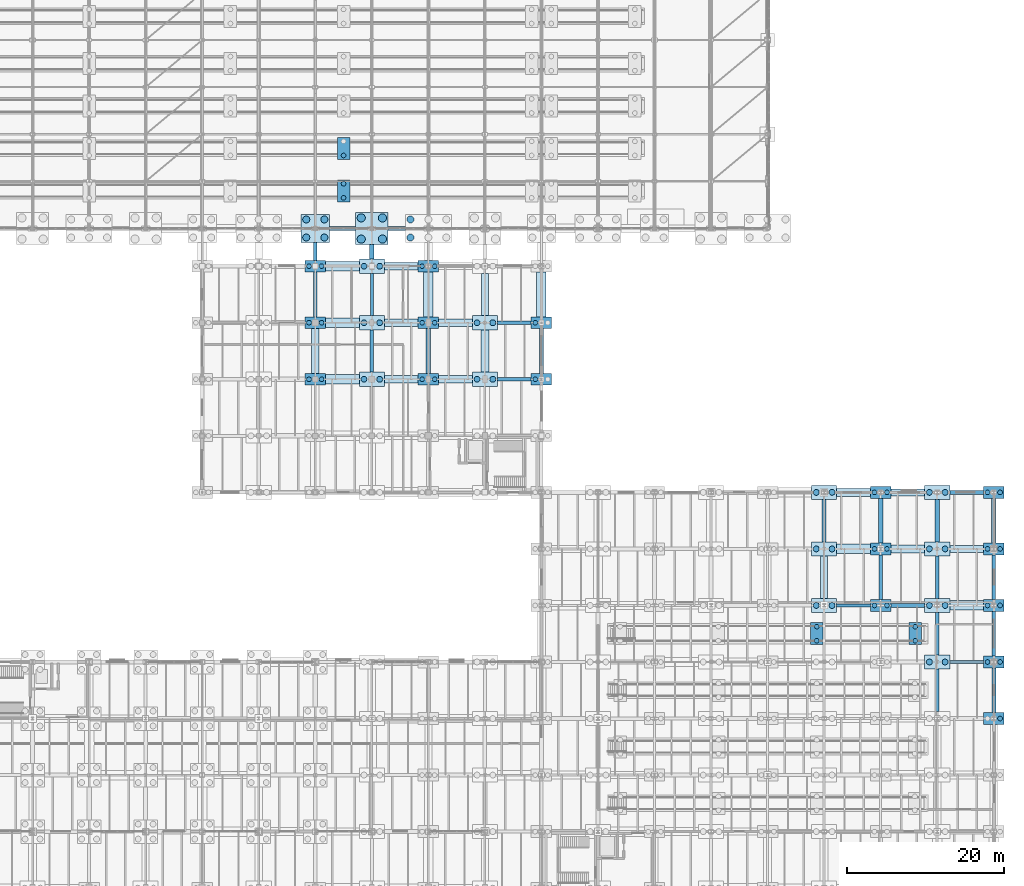
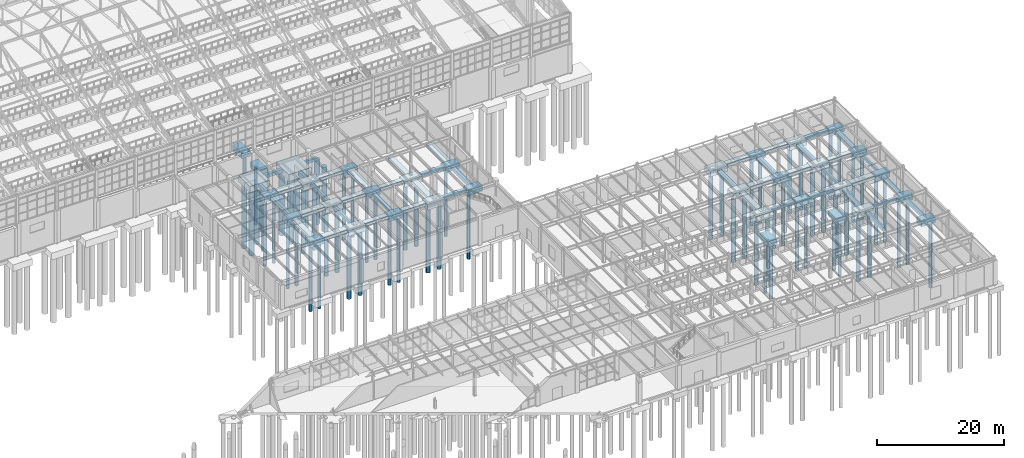
# One storey, part 12 of 293: 80 footings, 70 piles.
"""IFC4 building model written with IfcOpenShell, lengths in metres."""

import ifcopenshell
import ifcopenshell.guid

model = None  # the IFC model being written
_history = None  # IfcOwnerHistory: only IFC2X3 demands one
_inside = {}  # id of a spatial element -> (the spatial element, [elements in it])
_under = {}  # id of a project, library or spatial element -> (it, [spatial elements below it])
_declared = {}  # id of a project -> (the project, [libraries it declares])
_typed = {}  # id of a type object -> (the type object, [elements of that type])
_made_of = {}  # id of a material, layer set ... -> (it, [elements and type objects made of it])


def new_model(schema):
    """Start an empty IFC model of exactly this schema.

    Asked for "IFC4X3", IfcOpenShell would pick the latest addendum, in which some entities
    have other attributes; the version numbers below select the first issue.
    IFC2X3 requires an IfcOwnerHistory on every rooted entity: one is made here for all.
    """
    global model, _history
    if schema == "IFC4X3":
        model = ifcopenshell.file(schema_version=(4, 3, 0, 0))
    else:
        model = ifcopenshell.file(schema=schema)
    _inside.clear()
    _under.clear()
    _declared.clear()
    _typed.clear()
    _made_of.clear()
    _history = None
    if model.schema == "IFC2X3":
        org = make("IfcOrganization", Name="unknown")
        user = make(
            "IfcPersonAndOrganization",
            ThePerson=make("IfcPerson", FamilyName="unknown"),
            TheOrganization=org,
        )
        app = make(
            "IfcApplication",
            ApplicationDeveloper=org,
            Version="unknown",
            ApplicationFullName="unknown",
            ApplicationIdentifier="unknown",
        )
        _history = make(
            "IfcOwnerHistory",
            OwningUser=user,
            OwningApplication=app,
            ChangeAction="ADDED",
            CreationDate=0,
        )
    return model


def make(cls, **values):
    """One entity of the class cls with the attributes given. An attribute that is None is left unset."""
    return model.create_entity(
        cls, **{name: value for name, value in values.items() if value is not None}
    )


def rooted(cls, **values):
    """An entity with a GlobalId (a new one), such as an element, a storey or a relation."""
    return make(cls, GlobalId=ifcopenshell.guid.new(), OwnerHistory=_history, **values)


def si_unit(unit_type, name, prefix=None):
    """IfcSIUnit, for example si_unit("LENGTHUNIT", "METRE", prefix="MILLI")."""
    return make("IfcSIUnit", UnitType=unit_type, Prefix=prefix, Name=name)


def assignment(units):
    """IfcUnitAssignment: the units of a project."""
    return None if units is None else make("IfcUnitAssignment", Units=units)


def point(xyz):
    """IfcCartesianPoint."""
    return None if xyz is None else make("IfcCartesianPoint", Coordinates=xyz)


def direction(xyz):
    """IfcDirection."""
    return None if xyz is None else make("IfcDirection", DirectionRatios=xyz)


def frame(location, z_axis=None, x_axis=None):
    """IfcAxis2Placement3D, a coordinate frame: its origin and axes. An axis left out is left unset."""
    return make(
        "IfcAxis2Placement3D",
        Location=point(location),
        Axis=direction(z_axis),
        RefDirection=direction(x_axis),
    )


def frame_2d(location, x_axis=None):
    """IfcAxis2Placement2D, a coordinate frame in the plane: its origin and x axis."""
    return make(
        "IfcAxis2Placement2D", Location=point(location), RefDirection=direction(x_axis)
    )


def origin():
    """The frame at (0, 0, 0) with its axes left unset."""
    return frame((0.0, 0.0, 0.0))


def origin_2d():
    """The frame at (0, 0) in the plane with its x axis left unset."""
    return frame_2d((0.0, 0.0))


def place(relative_to, where):
    """IfcLocalPlacement: puts the frame where relative to a parent placement (None: the world)."""
    return make(
        "IfcLocalPlacement", PlacementRelTo=relative_to, RelativePlacement=where
    )


def context(
    kind, dimensions, precision=None, world=None, true_north=None, identifier=None
):
    """IfcGeometricRepresentationContext, for example the 3D "Model" context."""
    return make(
        "IfcGeometricRepresentationContext",
        ContextIdentifier=identifier,
        ContextType=kind,
        CoordinateSpaceDimension=dimensions,
        Precision=precision,
        WorldCoordinateSystem=world,
        TrueNorth=true_north,
    )


def subcontext(parent, identifier, kind, view, scale=None):
    """IfcGeometricRepresentationSubContext, for example "Body" below "Model"."""
    return make(
        "IfcGeometricRepresentationSubContext",
        ContextIdentifier=identifier,
        ContextType=kind,
        ParentContext=parent,
        TargetScale=scale,
        TargetView=view,
    )


def project(units=None, contexts=None):
    """IfcProject with its units and contexts."""
    return rooted(
        "IfcProject",
        Name="project",
        RepresentationContexts=contexts,
        UnitsInContext=assignment(units),
    )


def spatial(cls, under=None, at=None, **own):
    """A site, building, storey or space (cls), placed at a placement, below another one or the project."""
    s = rooted(cls, ObjectPlacement=at, **own)
    if under is not None:
        _under.setdefault(under.id(), (under, []))[1].append(s)
    return s


def profile(cls, at=None, kind="AREA", **sizes):
    """A parametric profile (cls). Its sizes go by their IFC names, for example OverallWidth=200.0."""
    return make(cls, ProfileType=kind, Position=at, **sizes)


def rectangle(**sizes):
    """IfcRectangleProfileDef."""
    return profile("IfcRectangleProfileDef", **sizes)


def circle(**sizes):
    """IfcCircleProfileDef."""
    return profile("IfcCircleProfileDef", **sizes)


def extrude(swept, where, along, depth):
    """IfcExtrudedAreaSolid: the profile swept, set in the frame where, extruded along a direction by depth."""
    return make(
        "IfcExtrudedAreaSolid",
        SweptArea=swept,
        Position=where,
        ExtrudedDirection=direction(along),
        Depth=depth,
    )


def shape(context_of_items, identifier, shape_type, items):
    """IfcShapeRepresentation: the items that make up one representation, for example the "Body"."""
    return make(
        "IfcShapeRepresentation",
        ContextOfItems=context_of_items,
        RepresentationIdentifier=identifier,
        RepresentationType=shape_type,
        Items=items,
    )


def material(Name=None, Category=None):
    """IfcMaterial."""
    return make("IfcMaterial", Name=Name, Category=Category)


def material_profile(
    of_material, cross_section, Name=None, Category=None, Priority=None
):
    """IfcMaterialProfile: a cross section and its material."""
    return make(
        "IfcMaterialProfile",
        Name=Name,
        Material=of_material,
        Profile=cross_section,
        Priority=Priority,
        Category=Category,
    )


def profile_set(profiles, Name=None, composite=None):
    """IfcMaterialProfileSet."""
    return make(
        "IfcMaterialProfileSet",
        Name=Name,
        MaterialProfiles=profiles,
        CompositeProfile=composite,
    )


def made_of(thing, what):
    """Note that an element or type object is made of a material, layer set ...; save() writes the relation."""
    if what is not None:
        _made_of.setdefault(what.id(), (what, []))[1].append(thing)
    return thing


def type_object(cls, material=None, **own):
    """A type object (cls), such as IfcWallType, which elements share."""
    return made_of(rooted(cls, **own), material)


def element(
    cls,
    number,
    at=None,
    inside=None,
    cuts=None,
    type_object=None,
    material=None,
    context=None,
    identifier="Body",
    shape_type=None,
    held_by="IfcProductDefinitionShape",
    body=None,
    shapes=None,
    **own,
):
    """One element of the class cls, such as IfcWall. Its Tag is "e" and its number.

    at: its placement. inside: the storey or other place that contains it. cuts: it is an
    opening in that element (IfcRelVoidsElement). A single representation is given by context,
    identifier, shape_type and body (its items); several are given by shapes. held_by: the class
    of the entity that holds the representations. save() writes the other relations.
    """
    e = rooted(cls, Tag="e%d" % number, ObjectPlacement=at, **own)
    if body is not None:
        shapes = [shape(context, identifier, shape_type, body)]
    if shapes is not None:
        e.Representation = make(held_by, Representations=shapes)
    if inside is not None:
        _inside.setdefault(inside.id(), (inside, []))[1].append(e)
    if cuts is not None:
        rooted(
            "IfcRelVoidsElement", RelatingBuildingElement=cuts, RelatedOpeningElement=e
        )
    if type_object is not None:
        _typed.setdefault(type_object.id(), (type_object, []))[1].append(e)
    return made_of(e, material)


def aggregate(whole, parts):
    """IfcRelAggregates: a whole, such as a stair, and the parts it consists of."""
    return rooted("IfcRelAggregates", RelatingObject=whole, RelatedObjects=parts)


def save(model, path):
    """Write the relations noted so far, then the file.

    IfcRelAggregates (storeys below a building ...), IfcRelContainedInSpatialStructure (elements
    in a storey), IfcRelDefinesByType, IfcRelAssociatesMaterial and IfcRelDeclares: one each for
    every whole, place, type object, material and project.
    """
    for whole, parts in _under.values():
        aggregate(whole, parts)
    for where, things in _inside.values():
        rooted(
            "IfcRelContainedInSpatialStructure",
            RelatedElements=things,
            RelatingStructure=where,
        )
    for kind, things in _typed.values():
        rooted("IfcRelDefinesByType", RelatedObjects=things, RelatingType=kind)
    for what, things in _made_of.values():
        rooted("IfcRelAssociatesMaterial", RelatedObjects=things, RelatingMaterial=what)
    for by, libraries in _declared.values():
        rooted("IfcRelDeclares", RelatingContext=by, RelatedDefinitions=libraries)
    model.write(path)


model = new_model("IFC4")

# Units and contexts
model_context = context("Model", 3, precision=1e-05, world=origin(), true_north=direction((0.0, 1.0)))
body_context = subcontext(model_context, "Body", "Model", "MODEL_VIEW")
ifc_project = project(units=[si_unit("LENGTHUNIT", "METRE"), si_unit("AREAUNIT", "SQUARE_METRE"), si_unit("VOLUMEUNIT", "CUBIC_METRE"), si_unit("PLANEANGLEUNIT", "RADIAN"), si_unit("MASSUNIT", "GRAM", prefix="KILO")], contexts=[model_context])

# Site, building, storey
site_placement = place(None, origin())
site = spatial("IfcSite", under=ifc_project, at=site_placement, CompositionType="ELEMENT")
building_placement = place(site_placement, origin())
building = spatial("IfcBuilding", under=site, at=building_placement, Name="Kemerveld Promenade Tramway Depot", CompositionType="ELEMENT")
storey_placement = place(building_placement, origin())
storey = spatial("IfcBuildingStorey", under=building, at=storey_placement, Name="L00", CompositionType="ELEMENT", Elevation=0.0)

# Footings
ifc_material = material(Name="Concrete C35/45", Category="concrete")
footing_type_1 = type_object("IfcFootingType", Name="FT-GB01", PredefinedType="FOOTING_BEAM", material=ifc_material)
for number, where, z_axis, x_axis, name in (
    (1, (212.550048828125, 50.39990234375, -0.949951171875), (0.0, 0.0, 1.0), (1.0, 0.0, 0.0), "GBX-30-31-H"),
    (2, (154.949951171875, 64.800048828125, -0.949951171875), (0.0, 0.0, 1.0), (1.0, 0.0, 0.0), "GBX-22-23-K"),
    (3, (154.949951171875, 72.0, -0.949951171875), (0.0, 0.0, 1.0), (1.0, 0.0, 0.0), "GBX-22-23-L"),
):
    element("IfcFooting", number, at=place(storey_placement, frame(where, z_axis=z_axis, x_axis=x_axis)), inside=storey, type_object=footing_type_1, Name=name, PredefinedType="FOOTING_BEAM", context=body_context, shape_type="SweptSolid", body=[
        extrude(rectangle(XDim=4.300048828125, YDim=0.5, at=origin_2d()), origin(), (0.0, 0.0, 1.0), 0.64990234375),
    ])
footing_1_placement = place(storey_placement, frame((133.074951171875, 84.0, -0.949951171875), z_axis=(0.0, 0.0, 1.0), x_axis=(1.0, 0.0, 0.0)))
element("IfcFooting", 4, at=footing_1_placement, inside=storey, type_object=footing_type_1, Name="GBX-19-20-N", PredefinedType="FOOTING_BEAM", context=body_context, shape_type="SweptSolid", body=[
    extrude(rectangle(XDim=3.35009765625, YDim=0.5, at=origin_2d()), origin(), (0.0, 0.0, 1.0), 0.64990234375),
])
footing_2_placement = place(storey_placement, frame((129.60009765625, 75.60009765625, -0.949951171875), z_axis=(0.0, 0.0, 1.0), x_axis=(0.0, 1.0, 0.0)))
element("IfcFooting", 5, at=footing_2_placement, inside=storey, type_object=footing_type_1, Name="GBY-19-L-M", PredefinedType="FOOTING_BEAM", context=body_context, shape_type="SweptSolid", body=[
    extrude(rectangle(XDim=5.699951171875, YDim=0.5, at=origin_2d()), origin(), (0.0, 0.0, 1.0), 0.64990234375),
])
for number, where, z_axis, x_axis, name in (
    (6, (194.39990234375, 46.800048828125, -0.949951171875), (0.0, 0.0, 1.0), (0.0, 1.0, 0.0), "GBY-28-G-H"),
    (7, (208.800048828125, 25.199951171875, -0.949951171875), (0.0, 0.0, 1.0), (0.0, 1.0, 0.0), "GBY-30-D-E"),
):
    element("IfcFooting", number, at=place(storey_placement, frame(where, z_axis=z_axis, x_axis=x_axis)), inside=storey, type_object=footing_type_1, Name=name, PredefinedType="FOOTING_BEAM", context=body_context, shape_type="SweptSolid", body=[
        extrude(rectangle(XDim=5.39990234375, YDim=0.5, at=origin_2d()), origin(), (0.0, 0.0, 1.0), 0.64990234375),
    ])
footing_3_placement = place(storey_placement, frame((216.0, 25.199951171875, -0.949951171875), z_axis=(0.0, 0.0, 1.0), x_axis=(0.0, 1.0, 0.0)))
element("IfcFooting", 8, at=footing_3_placement, inside=storey, type_object=footing_type_1, Name="GBY-31-D-E", PredefinedType="FOOTING_BEAM", context=body_context, shape_type="SweptSolid", body=[
    extrude(rectangle(XDim=5.699951171875, YDim=0.5, at=origin_2d()), origin(), (0.0, 0.0, 1.0), 0.64990234375),
])
footing_type_2 = type_object("IfcFootingType", Name="FT-GB02", PredefinedType="FOOTING_BEAM", material=ifc_material)
footing_4_placement = place(storey_placement, frame((139.96240234375, 84.0, -0.900146484375), z_axis=(0.0, 0.0, 1.0), x_axis=(1.0, 0.0, 0.0)))
element("IfcFooting", 9, at=footing_4_placement, inside=storey, type_object=footing_type_2, Name="GBX-20-21-N", PredefinedType="FOOTING_BEAM", context=body_context, shape_type="SweptSolid", body=[
    extrude(rectangle(XDim=2.22509765625, YDim=0.449951171875, at=origin_2d()), origin(), (0.0, 0.0, 1.0), 0.60009765625),
])
footing_5_placement = place(storey_placement, frame((129.60009765625, 81.074951171875, -0.900146484375), z_axis=(0.0, 0.0, 1.0), x_axis=(0.0, 1.0, 0.0)))
element("IfcFooting", 10, at=footing_5_placement, inside=storey, type_object=footing_type_2, Name="GBY-19-M-N", PredefinedType="FOOTING_BEAM", context=body_context, shape_type="SweptSolid", body=[
    extrude(rectangle(XDim=2.25, YDim=0.449951171875, at=origin_2d()), origin(), (0.0, 0.0, 1.0), 0.60009765625),
])
for number, where, z_axis, x_axis, name in (
    (11, (136.800048828125, 68.39990234375, -0.900146484375), (0.0, 0.0, 1.0), (0.0, 1.0, 0.0), "GBY-20-K-L"),
    (12, (208.800048828125, 32.39990234375, -0.900146484375), (0.0, 0.0, 1.0), (0.0, 1.0, 0.0), "GBY-30-E-F"),
):
    element("IfcFooting", number, at=place(storey_placement, frame(where, z_axis=z_axis, x_axis=x_axis)), inside=storey, type_object=footing_type_2, Name=name, PredefinedType="FOOTING_BEAM", context=body_context, shape_type="SweptSolid", body=[
        extrude(rectangle(XDim=5.39990234375, YDim=0.449951171875, at=origin_2d()), origin(), (0.0, 0.0, 1.0), 0.60009765625),
    ])
footing_6_placement = place(storey_placement, frame((216.0, 32.39990234375, -0.900146484375), z_axis=(0.0, 0.0, 1.0), x_axis=(0.0, 1.0, 0.0)))
element("IfcFooting", 13, at=footing_6_placement, inside=storey, type_object=footing_type_2, Name="GBY-31-E-F", PredefinedType="FOOTING_BEAM", context=body_context, shape_type="SweptSolid", body=[
    extrude(rectangle(XDim=5.699951171875, YDim=0.449951171875, at=origin_2d()), origin(), (0.0, 0.0, 1.0), 0.60009765625),
])
footing_type_3 = type_object("IfcFootingType", Name="FT-GB03", PredefinedType="FOOTING_BEAM", material=ifc_material)
for number, where, z_axis, x_axis, name in (
    (14, (212.550048828125, 28.800048828125, -0.85009765625), (0.0, 0.0, 1.0), (1.0, 0.0, 0.0), "GBX-30-31-E"),
    (15, (198.14990234375, 36.0, -0.85009765625), (0.0, 0.0, 1.0), (1.0, 0.0, 0.0), "GBX-28-29-F"),
):
    element("IfcFooting", number, at=place(storey_placement, frame(where, z_axis=z_axis, x_axis=x_axis)), inside=storey, type_object=footing_type_3, Name=name, PredefinedType="FOOTING_BEAM", context=body_context, shape_type="SweptSolid", body=[
        extrude(rectangle(XDim=4.300048828125, YDim=0.39990234375, at=origin_2d()), origin(), (0.0, 0.0, 1.0), 0.550048828125),
    ])
footing_7_placement = place(storey_placement, frame((136.800048828125, 75.60009765625, -0.85009765625), z_axis=(0.0, 0.0, 1.0), x_axis=(0.0, 1.0, 0.0)))
element("IfcFooting", 16, at=footing_7_placement, inside=storey, type_object=footing_type_3, Name="GBY-20-L-M", PredefinedType="FOOTING_BEAM", context=body_context, shape_type="SweptSolid", body=[
    extrude(rectangle(XDim=5.39990234375, YDim=0.39990234375, at=origin_2d()), origin(), (0.0, 0.0, 1.0), 0.550048828125),
])
footing_8_placement = place(storey_placement, frame((201.60009765625, 39.60009765625, -0.85009765625), z_axis=(0.0, 0.0, 1.0), x_axis=(0.0, 1.0, 0.0)))
element("IfcFooting", 17, at=footing_8_placement, inside=storey, type_object=footing_type_3, Name="GBY-29-F-G", PredefinedType="FOOTING_BEAM", context=body_context, shape_type="SweptSolid", body=[
    extrude(rectangle(XDim=5.699951171875, YDim=0.39990234375, at=origin_2d()), origin(), (0.0, 0.0, 1.0), 0.550048828125),
])
footing_9_placement = place(storey_placement, frame((208.800048828125, 39.60009765625, -0.85009765625), z_axis=(0.0, 0.0, 1.0), x_axis=(0.0, 1.0, 0.0)))
element("IfcFooting", 18, at=footing_9_placement, inside=storey, type_object=footing_type_3, Name="GBY-30-F-G", PredefinedType="FOOTING_BEAM", context=body_context, shape_type="SweptSolid", body=[
    extrude(rectangle(XDim=5.39990234375, YDim=0.39990234375, at=origin_2d()), origin(), (0.0, 0.0, 1.0), 0.550048828125),
])
footing_10_placement = place(storey_placement, frame((216.0, 39.60009765625, -0.85009765625), z_axis=(0.0, 0.0, 1.0), x_axis=(0.0, 1.0, 0.0)))
element("IfcFooting", 19, at=footing_10_placement, inside=storey, type_object=footing_type_3, Name="GBY-31-F-G", PredefinedType="FOOTING_BEAM", context=body_context, shape_type="SweptSolid", body=[
    extrude(rectangle(XDim=5.699951171875, YDim=0.39990234375, at=origin_2d()), origin(), (0.0, 0.0, 1.0), 0.550048828125),
])
footing_type_4 = type_object("IfcFootingType", Name="FT-GB04", PredefinedType="FOOTING_BEAM", material=ifc_material)
footing_11_placement = place(storey_placement, frame((205.050048828125, 36.0, -1.0), z_axis=(0.0, 0.0, 1.0), x_axis=(1.0, 0.0, 0.0)))
element("IfcFooting", 20, at=footing_11_placement, inside=storey, type_object=footing_type_4, Name="GBX-29-30-F", PredefinedType="FOOTING_BEAM", context=body_context, shape_type="SweptSolid", body=[
    extrude(rectangle(XDim=4.300048828125, YDim=0.550048828125, at=origin_2d()), origin(), (0.0, 0.0, 1.0), 0.699951171875),
])
footing_12_placement = place(storey_placement, frame((136.800048828125, 81.02490234375, -1.0), z_axis=(0.0, 0.0, 1.0), x_axis=(0.0, 1.0, 0.0)))
element("IfcFooting", 21, at=footing_12_placement, inside=storey, type_object=footing_type_4, Name="GBY-20-M-N", PredefinedType="FOOTING_BEAM", context=body_context, shape_type="SweptSolid", body=[
    extrude(rectangle(XDim=1.85009765625, YDim=0.550048828125, at=origin_2d()), origin(), (0.0, 0.0, 1.0), 0.699951171875),
])
for number, where, z_axis, x_axis, name in (
    (22, (144.0, 68.39990234375, -1.0), (0.0, 0.0, 1.0), (0.0, 1.0, 0.0), "GBY-21-K-L"),
    (23, (158.39990234375, 68.39990234375, -1.0), (0.0, 0.0, 1.0), (0.0, 1.0, 0.0), "GBY-23-K-L"),
    (24, (201.60009765625, 46.800048828125, -1.0), (0.0, 0.0, 1.0), (0.0, 1.0, 0.0), "GBY-29-G-H"),
):
    element("IfcFooting", number, at=place(storey_placement, frame(where, z_axis=z_axis, x_axis=x_axis)), inside=storey, type_object=footing_type_4, Name=name, PredefinedType="FOOTING_BEAM", context=body_context, shape_type="SweptSolid", body=[
        extrude(rectangle(XDim=5.699951171875, YDim=0.550048828125, at=origin_2d()), origin(), (0.0, 0.0, 1.0), 0.699951171875),
    ])
footing_13_placement = place(storey_placement, frame((208.800048828125, 46.800048828125, -1.0), z_axis=(0.0, 0.0, 1.0), x_axis=(0.0, 1.0, 0.0)))
element("IfcFooting", 25, at=footing_13_placement, inside=storey, type_object=footing_type_4, Name="GBY-30-G-H", PredefinedType="FOOTING_BEAM", context=body_context, shape_type="SweptSolid", body=[
    extrude(rectangle(XDim=5.39990234375, YDim=0.550048828125, at=origin_2d()), origin(), (0.0, 0.0, 1.0), 0.699951171875),
])
footing_14_placement = place(storey_placement, frame((216.0, 46.800048828125, -1.0), z_axis=(0.0, 0.0, 1.0), x_axis=(0.0, 1.0, 0.0)))
element("IfcFooting", 26, at=footing_14_placement, inside=storey, type_object=footing_type_4, Name="GBY-31-G-H", PredefinedType="FOOTING_BEAM", context=body_context, shape_type="SweptSolid", body=[
    extrude(rectangle(XDim=5.699951171875, YDim=0.550048828125, at=origin_2d()), origin(), (0.0, 0.0, 1.0), 0.699951171875),
])
footing_type_5 = type_object("IfcFootingType", Name="FT-PC01", PredefinedType="PILE_CAP", material=ifc_material)
footing_15_placement = place(storey_placement, frame((136.800048828125, 84.0, -1.60009765625), z_axis=(0.0, 0.0, 1.0), x_axis=(1.0, 0.0, 0.0)))
element("IfcFooting", 27, at=footing_15_placement, inside=storey, type_object=footing_type_5, Name="FT-20-N", PredefinedType="PILE_CAP", context=body_context, shape_type="SweptSolid", body=[
    extrude(rectangle(XDim=4.10009765625, YDim=4.10009765625, at=origin_2d()), origin(), (0.0, 0.0, 1.0), 1.300048828125),
])
footing_type_6 = type_object("IfcFootingType", Name="FT-PC02", PredefinedType="PILE_CAP", material=ifc_material)
footing_16_placement = place(storey_placement, frame((129.60009765625, 84.0, -1.550048828125), z_axis=(0.0, 0.0, 1.0), x_axis=(1.0, 0.0, 0.0)))
element("IfcFooting", 28, at=footing_16_placement, inside=storey, type_object=footing_type_6, Name="FT-19-N", PredefinedType="PILE_CAP", context=body_context, shape_type="SweptSolid", body=[
    extrude(rectangle(XDim=3.60009765625, YDim=3.60009765625, at=origin_2d()), origin(), (0.0, 0.0, 1.0), 1.25),
])
footing_type_7 = type_object("IfcFootingType", Name="FT-PC06", PredefinedType="PILE_CAP", material=ifc_material)
for number, where, z_axis, x_axis, name in (
    (29, (136.800048828125, 64.800048828125, -1.400146484375), (0.0, 0.0, 1.0), (1.0, 0.0, 0.0), "FT-20-K"),
    (30, (136.800048828125, 72.0, -1.400146484375), (0.0, 0.0, 1.0), (1.0, 0.0, 0.0), "FT-20-L"),
    (31, (136.800048828125, 79.199951171875, -1.400146484375), (0.0, 0.0, 1.0), (1.0, 0.0, 0.0), "FT-20-M"),
    (32, (151.199951171875, 64.800048828125, -1.400146484375), (0.0, 0.0, 1.0), (1.0, 0.0, 0.0), "FT-22-K"),
    (33, (151.199951171875, 72.0, -1.400146484375), (0.0, 0.0, 1.0), (1.0, 0.0, 0.0), "FT-22-L"),
    (34, (194.39990234375, 36.0, -1.400146484375), (0.0, 0.0, 1.0), (1.0, 0.0, 0.0), "FT-28-F"),
    (35, (194.39990234375, 43.199951171875, -1.400146484375), (0.0, 0.0, 1.0), (1.0, 0.0, 0.0), "FT-28-G"),
    (36, (194.39990234375, 50.39990234375, -1.400146484375), (0.0, 0.0, 1.0), (1.0, 0.0, 0.0), "FT-28-H"),
    (37, (208.800048828125, 28.800048828125, -1.400146484375), (0.0, 0.0, 1.0), (1.0, 0.0, 0.0), "FT-30-E"),
    (38, (208.800048828125, 36.0, -1.400146484375), (0.0, 0.0, 1.0), (1.0, 0.0, 0.0), "FT-30-F"),
    (39, (208.800048828125, 43.199951171875, -1.400146484375), (0.0, 0.0, 1.0), (1.0, 0.0, 0.0), "FT-30-G"),
    (40, (208.800048828125, 50.39990234375, -1.400146484375), (0.0, 0.0, 1.0), (1.0, 0.0, 0.0), "FT-30-H"),
):
    element("IfcFooting", number, at=place(storey_placement, frame(where, z_axis=z_axis, x_axis=x_axis)), inside=storey, type_object=footing_type_7, Name=name, PredefinedType="PILE_CAP", context=body_context, shape_type="SweptSolid", body=[
        extrude(rectangle(XDim=3.199951171875, YDim=1.800048828125, at=origin_2d()), origin(), (0.0, 0.0, 1.0), 1.10009765625),
    ])
footing_type_8 = type_object("IfcFootingType", Name="FT-PC07", PredefinedType="PILE_CAP", material=ifc_material)
for number, where, z_axis, x_axis, name in (
    (41, (133.199951171875, 88.800048828125, -3.0), (0.0, 0.0, 1.0), (1.0, 0.0, 0.0), "FT-PIT-01-07"),
    (42, (133.199951171875, 94.199951171875, -3.0), (0.0, 0.0, 1.0), (1.0, 0.0, 0.0), "FT-PIT-02-07"),
    (43, (193.467041015625, 32.39990234375, -3.64990234375), (0.0, 0.0, 1.0), (1.0, 0.0, 0.0), "FT-PIT-11-03"),
    (44, (206.0, 32.39990234375, -3.64990234375), (0.0, 0.0, 1.0), (1.0, 0.0, 0.0), "FT-PIT-11-04"),
):
    element("IfcFooting", number, at=place(storey_placement, frame(where, z_axis=z_axis, x_axis=x_axis)), inside=storey, type_object=footing_type_8, Name=name, PredefinedType="PILE_CAP", context=body_context, shape_type="SweptSolid", body=[
        extrude(rectangle(XDim=1.60009765625, YDim=2.800048828125, at=origin_2d()), origin(), (0.0, 0.0, 1.0), 1.050048828125),
    ])
footing_type_9 = type_object("IfcFootingType", Name="FT-PC08", PredefinedType="PILE_CAP", material=ifc_material)
for number, where, z_axis, x_axis, name in (
    (45, (129.60009765625, 64.800048828125, -1.300048828125), (0.0, 0.0, 1.0), (1.0, 0.0, 0.0), "FT-19-K"),
    (46, (129.60009765625, 72.0, -1.300048828125), (0.0, 0.0, 1.0), (1.0, 0.0, 0.0), "FT-19-L"),
    (47, (129.60009765625, 79.199951171875, -1.300048828125), (0.0, 0.0, 1.0), (1.0, 0.0, 0.0), "FT-19-M"),
    (48, (144.0, 64.800048828125, -1.300048828125), (0.0, 0.0, 1.0), (1.0, 0.0, 0.0), "FT-21-K"),
    (49, (144.0, 72.0, -1.300048828125), (0.0, 0.0, 1.0), (1.0, 0.0, 0.0), "FT-21-L"),
    (50, (144.0, 79.199951171875, -1.300048828125), (0.0, 0.0, 1.0), (1.0, 0.0, 0.0), "FT-21-M"),
    (51, (158.39990234375, 64.800048828125, -1.300048828125), (0.0, 0.0, 1.0), (1.0, 0.0, 0.0), "FT-23-K"),
    (52, (158.39990234375, 72.0, -1.300048828125), (0.0, 0.0, 1.0), (1.0, 0.0, 0.0), "FT-23-L"),
    (53, (201.60009765625, 36.0, -1.300048828125), (0.0, 0.0, 1.0), (1.0, 0.0, 0.0), "FT-29-F"),
    (54, (201.60009765625, 43.199951171875, -1.300048828125), (0.0, 0.0, 1.0), (1.0, 0.0, 0.0), "FT-29-G"),
    (55, (201.60009765625, 50.39990234375, -1.300048828125), (0.0, 0.0, 1.0), (1.0, 0.0, 0.0), "FT-29-H"),
    (56, (216.0, 21.60009765625, -1.300048828125), (0.0, 0.0, 1.0), (1.0, 0.0, 0.0), "FT-31-D"),
    (57, (216.0, 28.800048828125, -1.300048828125), (0.0, 0.0, 1.0), (1.0, 0.0, 0.0), "FT-31-E"),
    (58, (216.0, 36.0, -1.300048828125), (0.0, 0.0, 1.0), (1.0, 0.0, 0.0), "FT-31-F"),
    (59, (216.0, 43.199951171875, -1.300048828125), (0.0, 0.0, 1.0), (1.0, 0.0, 0.0), "FT-31-G"),
    (60, (216.0, 50.39990234375, -1.300048828125), (0.0, 0.0, 1.0), (1.0, 0.0, 0.0), "FT-31-H"),
):
    element("IfcFooting", number, at=place(storey_placement, frame(where, z_axis=z_axis, x_axis=x_axis)), inside=storey, type_object=footing_type_9, Name=name, PredefinedType="PILE_CAP", context=body_context, shape_type="SweptSolid", body=[
        extrude(rectangle(XDim=2.60009765625, YDim=1.5, at=origin_2d()), origin(), (0.0, 0.0, 1.0), 1.0),
    ])
footing_type_10 = type_object("IfcFootingType", Name="FT-SF01", PredefinedType="STRIP_FOOTING", material=ifc_material)
for number, where, z_axis, x_axis, name in (
    (61, (212.550048828125, 36.0, -0.900146484375), (0.0, 0.0, 1.0), (1.0, 0.0, 0.0), "GBX-30-31-F"),
    (62, (198.14990234375, 43.199951171875, -0.900146484375), (0.0, 0.0, 1.0), (1.0, 0.0, 0.0), "GBX-28-29-G"),
    (63, (133.050048828125, 64.800048828125, -0.900146484375), (0.0, 0.0, 1.0), (1.0, 0.0, 0.0), "GBX-19-20-K"),
    (64, (133.050048828125, 72.0, -0.900146484375), (0.0, 0.0, 1.0), (1.0, 0.0, 0.0), "GBX-19-20-L"),
    (65, (133.050048828125, 79.199951171875, -0.900146484375), (0.0, 0.0, 1.0), (1.0, 0.0, 0.0), "GBX-19-20-M"),
):
    element("IfcFooting", number, at=place(storey_placement, frame(where, z_axis=z_axis, x_axis=x_axis)), inside=storey, type_object=footing_type_10, Name=name, PredefinedType="STRIP_FOOTING", context=body_context, shape_type="SweptSolid", body=[
        extrude(rectangle(XDim=4.300048828125, YDim=1.199951171875, at=origin_2d()), origin(), (0.0, 0.0, 1.0), 0.60009765625),
    ])
for number, where, z_axis, x_axis, name in (
    (66, (144.0, 75.60009765625, -0.900146484375), (0.0, 0.0, 1.0), (0.0, 1.0, 0.0), "GBY-21-L-M"),
    (67, (158.39990234375, 75.60009765625, -0.900146484375), (0.0, 0.0, 1.0), (0.0, 1.0, 0.0), "GBY-23-L-M"),
):
    element("IfcFooting", number, at=place(storey_placement, frame(where, z_axis=z_axis, x_axis=x_axis)), inside=storey, type_object=footing_type_10, Name=name, PredefinedType="STRIP_FOOTING", context=body_context, shape_type="SweptSolid", body=[
        extrude(rectangle(XDim=5.699951171875, YDim=1.199951171875, at=origin_2d()), origin(), (0.0, 0.0, 1.0), 0.60009765625),
    ])
footing_type_11 = type_object("IfcFootingType", Name="FT-SF02", PredefinedType="STRIP_FOOTING", material=ifc_material)
for number, where, z_axis, x_axis, name in (
    (68, (205.050048828125, 43.199951171875, -0.85009765625), (0.0, 0.0, 1.0), (1.0, 0.0, 0.0), "GBX-29-30-G"),
    (69, (198.14990234375, 50.39990234375, -0.85009765625), (0.0, 0.0, 1.0), (1.0, 0.0, 0.0), "GBX-28-29-H"),
    (70, (140.550048828125, 64.800048828125, -0.85009765625), (0.0, 0.0, 1.0), (1.0, 0.0, 0.0), "GBX-20-21-K"),
    (71, (140.550048828125, 72.0, -0.85009765625), (0.0, 0.0, 1.0), (1.0, 0.0, 0.0), "GBX-20-21-L"),
    (72, (140.550048828125, 79.199951171875, -0.85009765625), (0.0, 0.0, 1.0), (1.0, 0.0, 0.0), "GBX-20-21-M"),
):
    element("IfcFooting", number, at=place(storey_placement, frame(where, z_axis=z_axis, x_axis=x_axis)), inside=storey, type_object=footing_type_11, Name=name, PredefinedType="STRIP_FOOTING", context=body_context, shape_type="SweptSolid", body=[
        extrude(rectangle(XDim=4.300048828125, YDim=1.0, at=origin_2d()), origin(), (0.0, 0.0, 1.0), 0.550048828125),
    ])
footing_17_placement = place(storey_placement, frame((151.199951171875, 68.39990234375, -0.85009765625), z_axis=(0.0, 0.0, 1.0), x_axis=(0.0, 1.0, 0.0)))
element("IfcFooting", 73, at=footing_17_placement, inside=storey, type_object=footing_type_11, Name="GBY-22-K-L", PredefinedType="STRIP_FOOTING", context=body_context, shape_type="SweptSolid", body=[
    extrude(rectangle(XDim=5.39990234375, YDim=1.0, at=origin_2d()), origin(), (0.0, 0.0, 1.0), 0.550048828125),
])
footing_type_12 = type_object("IfcFootingType", Name="FT-SF03", PredefinedType="STRIP_FOOTING", material=ifc_material)
for number, where, z_axis, x_axis, name in (
    (74, (212.550048828125, 43.199951171875, -0.800048828125), (0.0, 0.0, 1.0), (1.0, 0.0, 0.0), "GBX-30-31-G"),
    (75, (205.050048828125, 50.39990234375, -0.800048828125), (0.0, 0.0, 1.0), (1.0, 0.0, 0.0), "GBX-29-30-H"),
    (76, (147.449951171875, 64.800048828125, -0.800048828125), (0.0, 0.0, 1.0), (1.0, 0.0, 0.0), "GBX-21-22-K"),
    (77, (147.449951171875, 72.0, -0.800048828125), (0.0, 0.0, 1.0), (1.0, 0.0, 0.0), "GBX-21-22-L"),
):
    element("IfcFooting", number, at=place(storey_placement, frame(where, z_axis=z_axis, x_axis=x_axis)), inside=storey, type_object=footing_type_12, Name=name, PredefinedType="STRIP_FOOTING", context=body_context, shape_type="SweptSolid", body=[
        extrude(rectangle(XDim=4.300048828125, YDim=0.89990234375, at=origin_2d()), origin(), (0.0, 0.0, 1.0), 0.5),
    ])
footing_18_placement = place(storey_placement, frame((129.60009765625, 68.39990234375, -0.800048828125), z_axis=(0.0, 0.0, 1.0), x_axis=(0.0, 1.0, 0.0)))
element("IfcFooting", 78, at=footing_18_placement, inside=storey, type_object=footing_type_12, Name="GBY-19-K-L", PredefinedType="STRIP_FOOTING", context=body_context, shape_type="SweptSolid", body=[
    extrude(rectangle(XDim=5.699951171875, YDim=0.89990234375, at=origin_2d()), origin(), (0.0, 0.0, 1.0), 0.5),
])
for number, where, z_axis, x_axis, name in (
    (79, (151.199951171875, 75.60009765625, -0.800048828125), (0.0, 0.0, 1.0), (0.0, 1.0, 0.0), "GBY-22-L-M"),
    (80, (194.39990234375, 39.60009765625, -0.800048828125), (0.0, 0.0, 1.0), (0.0, 1.0, 0.0), "GBY-28-F-G"),
):
    element("IfcFooting", number, at=place(storey_placement, frame(where, z_axis=z_axis, x_axis=x_axis)), inside=storey, type_object=footing_type_12, Name=name, PredefinedType="STRIP_FOOTING", context=body_context, shape_type="SweptSolid", body=[
        extrude(rectangle(XDim=5.39990234375, YDim=0.89990234375, at=origin_2d()), origin(), (0.0, 0.0, 1.0), 0.5),
    ])

# Piles
ifc_material_profile_1 = material_profile(ifc_material, circle(Radius=0.52490234375, at=origin_2d()), Name="PILE-D1050")
ifc_profile_set_1 = profile_set([ifc_material_profile_1], Name="Concrete C35/45")
pile_type_1 = type_object("IfcPileType", Name="PL-BOR-1050", PredefinedType="BORED", material=ifc_profile_set_1)
for number, where, z_axis, x_axis, name in (
    (81, (135.449951171875, 82.64990234375, -1.5), (0.0, 0.0, -1.0), (1.0, 0.0, 0.0), "PIL-20-N-1"),
    (82, (138.14990234375, 82.64990234375, -1.5), (0.0, 0.0, -1.0), (1.0, 0.0, 0.0), "PIL-20-N-2"),
    (83, (135.449951171875, 85.35009765625, -1.5), (0.0, 0.0, -1.0), (1.0, 0.0, 0.0), "PIL-20-N-3"),
    (84, (138.14990234375, 85.35009765625, -1.5), (0.0, 0.0, -1.0), (1.0, 0.0, 0.0), "PIL-20-N-4"),
):
    element("IfcPile", number, at=place(storey_placement, frame(where, z_axis=z_axis, x_axis=x_axis)), inside=storey, type_object=pile_type_1, Name=name, PredefinedType="BORED", context=body_context, shape_type="SweptSolid", body=[
        extrude(circle(Radius=0.52490234375, at=origin_2d()), origin(), (0.0, 0.0, 1.0), 12.5),
    ])
ifc_material_profile_2 = material_profile(ifc_material, circle(Radius=0.300048828125, at=origin_2d()), Name="PILE-D600")
ifc_profile_set_2 = profile_set([ifc_material_profile_2], Name="Concrete C35/45")
pile_type_2 = type_object("IfcPileType", Name="PL-BOR-600", PredefinedType="BORED", material=ifc_profile_set_2)
for number, where, z_axis, x_axis, name in (
    (85, (133.199951171875, 87.89990234375, -2.89990234375), (0.0, 0.0, -1.0), (1.0, 0.0, 0.0), "PIL-PIT-01-07-1"),
    (86, (133.199951171875, 89.699951171875, -2.89990234375), (0.0, 0.0, -1.0), (1.0, 0.0, 0.0), "PIL-PIT-01-07-2"),
    (87, (133.199951171875, 93.300048828125, -2.89990234375), (0.0, 0.0, -1.0), (1.0, 0.0, 0.0), "PIL-PIT-02-07-1"),
):
    element("IfcPile", number, at=place(storey_placement, frame(where, z_axis=z_axis, x_axis=x_axis)), inside=storey, type_object=pile_type_2, Name=name, PredefinedType="BORED", context=body_context, shape_type="SweptSolid", body=[
        extrude(circle(Radius=0.300048828125, at=origin_2d()), origin(), (0.0, 0.0, 1.0), 11.10009765625),
    ])
for number, where, z_axis, x_axis, name in (
    (88, (193.467041015625, 31.5, -3.550048828125), (0.0, 0.0, -1.0), (1.0, 0.0, 0.0), "PIL-PIT-11-03-1"),
    (89, (193.467041015625, 33.300048828125, -3.550048828125), (0.0, 0.0, -1.0), (1.0, 0.0, 0.0), "PIL-PIT-11-03-2"),
    (90, (206.0, 31.5, -3.550048828125), (0.0, 0.0, -1.0), (1.0, 0.0, 0.0), "PIL-PIT-11-04-1"),
    (91, (206.0, 33.300048828125, -3.550048828125), (0.0, 0.0, -1.0), (1.0, 0.0, 0.0), "PIL-PIT-11-04-2"),
):
    element("IfcPile", number, at=place(storey_placement, frame(where, z_axis=z_axis, x_axis=x_axis)), inside=storey, type_object=pile_type_2, Name=name, PredefinedType="BORED", context=body_context, shape_type="SweptSolid", body=[
        extrude(circle(Radius=0.300048828125, at=origin_2d()), origin(), (0.0, 0.0, 1.0), 10.449951171875),
    ])
for number, where, z_axis, x_axis, name in (
    (92, (128.800048828125, 64.800048828125, -1.199951171875), (0.0, 0.0, -1.0), (1.0, 0.0, 0.0), "PIL-19-K-1"),
    (93, (130.39990234375, 64.800048828125, -1.199951171875), (0.0, 0.0, -1.0), (1.0, 0.0, 0.0), "PIL-19-K-2"),
    (94, (128.800048828125, 72.0, -1.199951171875), (0.0, 0.0, -1.0), (1.0, 0.0, 0.0), "PIL-19-L-1"),
    (95, (130.39990234375, 72.0, -1.199951171875), (0.0, 0.0, -1.0), (1.0, 0.0, 0.0), "PIL-19-L-2"),
    (96, (128.800048828125, 79.199951171875, -1.199951171875), (0.0, 0.0, -1.0), (1.0, 0.0, 0.0), "PIL-19-M-1"),
    (97, (130.39990234375, 79.199951171875, -1.199951171875), (0.0, 0.0, -1.0), (1.0, 0.0, 0.0), "PIL-19-M-2"),
    (98, (143.199951171875, 64.800048828125, -1.199951171875), (0.0, 0.0, -1.0), (1.0, 0.0, 0.0), "PIL-21-K-1"),
    (99, (144.800048828125, 64.800048828125, -1.199951171875), (0.0, 0.0, -1.0), (1.0, 0.0, 0.0), "PIL-21-K-2"),
    (100, (143.199951171875, 72.0, -1.199951171875), (0.0, 0.0, -1.0), (1.0, 0.0, 0.0), "PIL-21-L-1"),
    (101, (144.800048828125, 72.0, -1.199951171875), (0.0, 0.0, -1.0), (1.0, 0.0, 0.0), "PIL-21-L-2"),
    (102, (143.199951171875, 79.199951171875, -1.199951171875), (0.0, 0.0, -1.0), (1.0, 0.0, 0.0), "PIL-21-M-1"),
    (103, (144.800048828125, 79.199951171875, -1.199951171875), (0.0, 0.0, -1.0), (1.0, 0.0, 0.0), "PIL-21-M-2"),
    (104, (157.60009765625, 64.800048828125, -1.199951171875), (0.0, 0.0, -1.0), (1.0, 0.0, 0.0), "PIL-23-K-1"),
    (105, (157.60009765625, 72.0, -1.199951171875), (0.0, 0.0, -1.0), (1.0, 0.0, 0.0), "PIL-23-L-1"),
    (106, (200.800048828125, 36.0, -1.199951171875), (0.0, 0.0, -1.0), (1.0, 0.0, 0.0), "PIL-29-F-1"),
    (107, (202.39990234375, 36.0, -1.199951171875), (0.0, 0.0, -1.0), (1.0, 0.0, 0.0), "PIL-29-F-2"),
    (108, (200.800048828125, 43.199951171875, -1.199951171875), (0.0, 0.0, -1.0), (1.0, 0.0, 0.0), "PIL-29-G-1"),
    (109, (202.39990234375, 43.199951171875, -1.199951171875), (0.0, 0.0, -1.0), (1.0, 0.0, 0.0), "PIL-29-G-2"),
    (110, (200.800048828125, 50.39990234375, -1.199951171875), (0.0, 0.0, -1.0), (1.0, 0.0, 0.0), "PIL-29-H-1"),
    (111, (202.39990234375, 50.39990234375, -1.199951171875), (0.0, 0.0, -1.0), (1.0, 0.0, 0.0), "PIL-29-H-2"),
    (112, (216.800048828125, 21.60009765625, -1.199951171875), (0.0, 0.0, -1.0), (1.0, 0.0, 0.0), "PIL-31-D-2"),
    (113, (215.199951171875, 28.800048828125, -1.199951171875), (0.0, 0.0, -1.0), (1.0, 0.0, 0.0), "PIL-31-E-1"),
    (114, (216.800048828125, 28.800048828125, -1.199951171875), (0.0, 0.0, -1.0), (1.0, 0.0, 0.0), "PIL-31-E-2"),
    (115, (215.199951171875, 36.0, -1.199951171875), (0.0, 0.0, -1.0), (1.0, 0.0, 0.0), "PIL-31-F-1"),
    (116, (216.800048828125, 36.0, -1.199951171875), (0.0, 0.0, -1.0), (1.0, 0.0, 0.0), "PIL-31-F-2"),
    (117, (215.199951171875, 43.199951171875, -1.199951171875), (0.0, 0.0, -1.0), (1.0, 0.0, 0.0), "PIL-31-G-1"),
    (118, (216.800048828125, 43.199951171875, -1.199951171875), (0.0, 0.0, -1.0), (1.0, 0.0, 0.0), "PIL-31-G-2"),
    (119, (215.199951171875, 50.39990234375, -1.199951171875), (0.0, 0.0, -1.0), (1.0, 0.0, 0.0), "PIL-31-H-1"),
    (120, (216.800048828125, 50.39990234375, -1.199951171875), (0.0, 0.0, -1.0), (1.0, 0.0, 0.0), "PIL-31-H-2"),
):
    element("IfcPile", number, at=place(storey_placement, frame(where, z_axis=z_axis, x_axis=x_axis)), inside=storey, type_object=pile_type_2, Name=name, PredefinedType="BORED", context=body_context, shape_type="SweptSolid", body=[
        extrude(circle(Radius=0.300048828125, at=origin_2d()), origin(), (0.0, 0.0, 1.0), 12.800048828125),
    ])
ifc_material_profile_3 = material_profile(ifc_material, circle(Radius=0.375, at=origin_2d()), Name="PILE-D750")
ifc_profile_set_3 = profile_set([ifc_material_profile_3], Name="Concrete C35/45")
pile_type_3 = type_object("IfcPileType", Name="PL-BOR-750", PredefinedType="BORED", material=ifc_profile_set_3)
for number, where, z_axis, x_axis, name in (
    (121, (135.800048828125, 64.800048828125, -1.300048828125), (0.0, 0.0, -1.0), (1.0, 0.0, 0.0), "PIL-20-K-1"),
    (122, (137.800048828125, 64.800048828125, -1.300048828125), (0.0, 0.0, -1.0), (1.0, 0.0, 0.0), "PIL-20-K-2"),
    (123, (135.800048828125, 72.0, -1.300048828125), (0.0, 0.0, -1.0), (1.0, 0.0, 0.0), "PIL-20-L-1"),
    (124, (137.800048828125, 72.0, -1.300048828125), (0.0, 0.0, -1.0), (1.0, 0.0, 0.0), "PIL-20-L-2"),
    (125, (135.800048828125, 79.199951171875, -1.300048828125), (0.0, 0.0, -1.0), (1.0, 0.0, 0.0), "PIL-20-M-1"),
    (126, (137.800048828125, 79.199951171875, -1.300048828125), (0.0, 0.0, -1.0), (1.0, 0.0, 0.0), "PIL-20-M-2"),
    (127, (150.199951171875, 64.800048828125, -1.300048828125), (0.0, 0.0, -1.0), (1.0, 0.0, 0.0), "PIL-22-K-1"),
    (128, (152.199951171875, 64.800048828125, -1.300048828125), (0.0, 0.0, -1.0), (1.0, 0.0, 0.0), "PIL-22-K-2"),
    (129, (150.199951171875, 72.0, -1.300048828125), (0.0, 0.0, -1.0), (1.0, 0.0, 0.0), "PIL-22-L-1"),
    (130, (152.199951171875, 72.0, -1.300048828125), (0.0, 0.0, -1.0), (1.0, 0.0, 0.0), "PIL-22-L-2"),
    (131, (193.39990234375, 36.0, -1.300048828125), (0.0, 0.0, -1.0), (1.0, 0.0, 0.0), "PIL-28-F-1"),
    (132, (195.39990234375, 36.0, -1.300048828125), (0.0, 0.0, -1.0), (1.0, 0.0, 0.0), "PIL-28-F-2"),
    (133, (193.39990234375, 43.199951171875, -1.300048828125), (0.0, 0.0, -1.0), (1.0, 0.0, 0.0), "PIL-28-G-1"),
    (134, (195.39990234375, 43.199951171875, -1.300048828125), (0.0, 0.0, -1.0), (1.0, 0.0, 0.0), "PIL-28-G-2"),
    (135, (193.39990234375, 50.39990234375, -1.300048828125), (0.0, 0.0, -1.0), (1.0, 0.0, 0.0), "PIL-28-H-1"),
    (136, (195.39990234375, 50.39990234375, -1.300048828125), (0.0, 0.0, -1.0), (1.0, 0.0, 0.0), "PIL-28-H-2"),
    (137, (207.800048828125, 28.800048828125, -1.300048828125), (0.0, 0.0, -1.0), (1.0, 0.0, 0.0), "PIL-30-E-1"),
    (138, (209.800048828125, 28.800048828125, -1.300048828125), (0.0, 0.0, -1.0), (1.0, 0.0, 0.0), "PIL-30-E-2"),
    (139, (207.800048828125, 36.0, -1.300048828125), (0.0, 0.0, -1.0), (1.0, 0.0, 0.0), "PIL-30-F-1"),
    (140, (209.800048828125, 36.0, -1.300048828125), (0.0, 0.0, -1.0), (1.0, 0.0, 0.0), "PIL-30-F-2"),
    (141, (207.800048828125, 43.199951171875, -1.300048828125), (0.0, 0.0, -1.0), (1.0, 0.0, 0.0), "PIL-30-G-1"),
    (142, (209.800048828125, 43.199951171875, -1.300048828125), (0.0, 0.0, -1.0), (1.0, 0.0, 0.0), "PIL-30-G-2"),
    (143, (207.800048828125, 50.39990234375, -1.300048828125), (0.0, 0.0, -1.0), (1.0, 0.0, 0.0), "PIL-30-H-1"),
    (144, (209.800048828125, 50.39990234375, -1.300048828125), (0.0, 0.0, -1.0), (1.0, 0.0, 0.0), "PIL-30-H-2"),
):
    element("IfcPile", number, at=place(storey_placement, frame(where, z_axis=z_axis, x_axis=x_axis)), inside=storey, type_object=pile_type_3, Name=name, PredefinedType="BORED", context=body_context, shape_type="SweptSolid", body=[
        extrude(circle(Radius=0.375, at=origin_2d()), origin(), (0.0, 0.0, 1.0), 12.699951171875),
    ])
ifc_material_profile_4 = material_profile(ifc_material, circle(Radius=0.449951171875, at=origin_2d()), Name="PILE-D900")
ifc_profile_set_4 = profile_set([ifc_material_profile_4], Name="Concrete C35/45")
pile_type_4 = type_object("IfcPileType", Name="PL-BOR-900", PredefinedType="BORED", material=ifc_profile_set_4)
for number, where, z_axis, x_axis, name in (
    (145, (128.449951171875, 82.85009765625, -1.449951171875), (0.0, 0.0, -1.0), (1.0, 0.0, 0.0), "PIL-19-N-1"),
    (146, (130.75, 82.85009765625, -1.449951171875), (0.0, 0.0, -1.0), (1.0, 0.0, 0.0), "PIL-19-N-2"),
    (147, (128.449951171875, 85.14990234375, -1.449951171875), (0.0, 0.0, -1.0), (1.0, 0.0, 0.0), "PIL-19-N-3"),
    (148, (130.75, 85.14990234375, -1.449951171875), (0.0, 0.0, -1.0), (1.0, 0.0, 0.0), "PIL-19-N-4"),
):
    element("IfcPile", number, at=place(storey_placement, frame(where, z_axis=z_axis, x_axis=x_axis)), inside=storey, type_object=pile_type_4, Name=name, PredefinedType="BORED", context=body_context, shape_type="SweptSolid", body=[
        extrude(circle(Radius=0.449951171875, at=origin_2d()), origin(), (0.0, 0.0, 1.0), 12.550048828125),
    ])
for number, where, z_axis, x_axis, name in (
    (149, (141.719970703125, 82.85009765625, -1.550048828125), (0.0, 0.0, -1.0), (1.0, 0.0, 0.0), "PIL-21-N-1"),
    (150, (141.719970703125, 85.14990234375, -1.550048828125), (0.0, 0.0, -1.0), (1.0, 0.0, 0.0), "PIL-21-N-4"),
):
    element("IfcPile", number, at=place(storey_placement, frame(where, z_axis=z_axis, x_axis=x_axis)), inside=storey, type_object=pile_type_4, Name=name, PredefinedType="BORED", context=body_context, shape_type="SweptSolid", body=[
        extrude(circle(Radius=0.449951171875, at=origin_2d()), origin(), (0.0, 0.0, 1.0), 12.449951171875),
    ])

save(model, "model.ifc")
